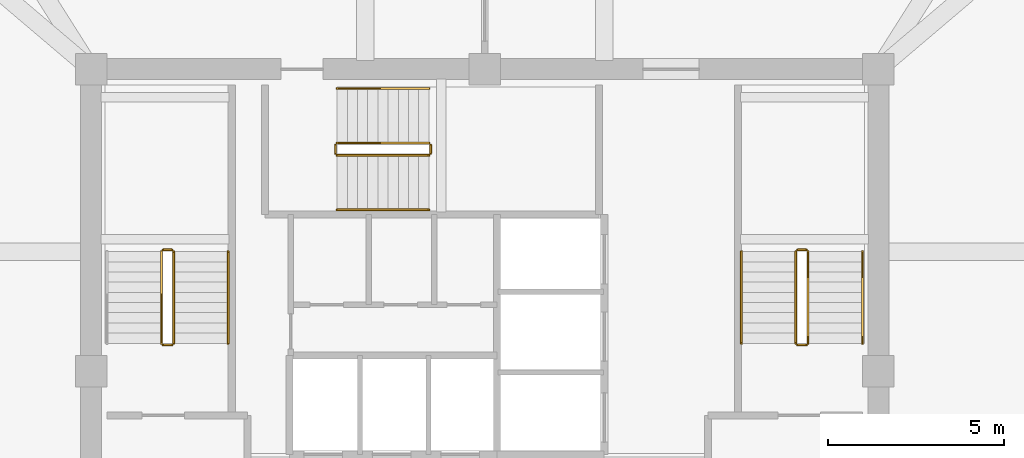
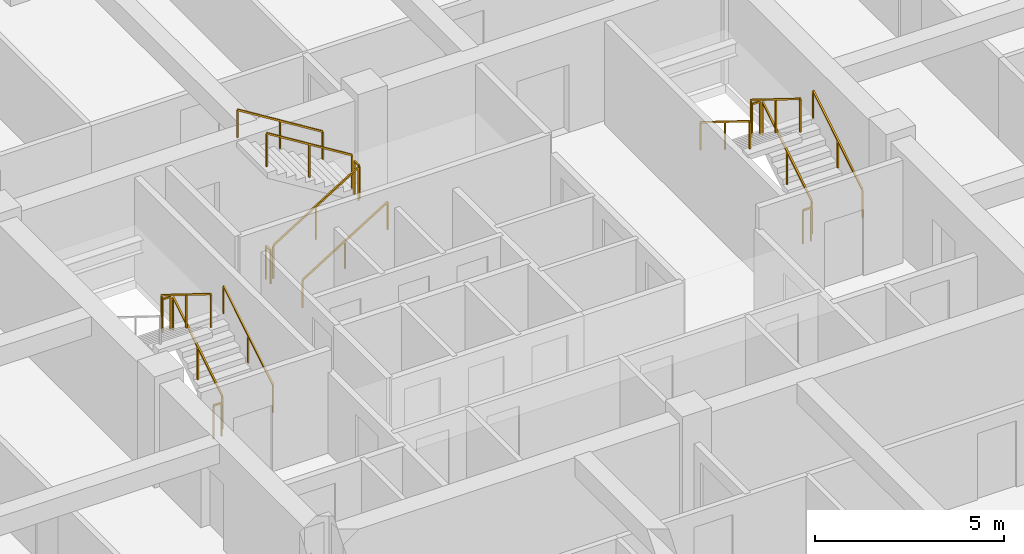
# One storey, part 13 of 13: 17 railings.
"""IFC4 building model written with IfcOpenShell, lengths in metres."""

from ifc_helpers import new_model, si_unit, derived_unit, direction, frame, origin, origin_2d, place, context, subcontext, project, spatial, rectangle, extrude, material, type_object, element, save


model = new_model("IFC4")

# Units and contexts
model_context = context("Model", 3, precision=1e-05, world=origin(), true_north=direction((0.0, 1.0)))
body_context = subcontext(model_context, "Body", "Model", "MODEL_VIEW")
ifc_project = project(units=[si_unit("LENGTHUNIT", "METRE"), si_unit("AREAUNIT", "SQUARE_METRE"), si_unit("VOLUMEUNIT", "CUBIC_METRE"), si_unit("PLANEANGLEUNIT", "RADIAN"), si_unit("MASSUNIT", "GRAM", prefix="KILO"), derived_unit("THERMALTRANSMITTANCEUNIT", [(si_unit("POWERUNIT", "WATT"), 1), (si_unit("LENGTHUNIT", "METRE"), -2), (si_unit("THERMODYNAMICTEMPERATUREUNIT", "KELVIN"), -1)])], contexts=[model_context])

# Site, building, storey
site_placement = place(None, origin())
site = spatial("IfcSite", under=ifc_project, at=site_placement, CompositionType="ELEMENT")
building_placement = place(site_placement, origin())
building = spatial("IfcBuilding", under=site, at=building_placement, Name="Koralith Skygarden Medical Center", CompositionType="ELEMENT")
storey_placement = place(building_placement, frame((0.0, 0.0, 214.3798828125)))
storey = spatial("IfcBuildingStorey", under=building, at=storey_placement, Name="L55", CompositionType="ELEMENT", Elevation=214.3798828125)

# Railings
ifc_material = material(Name="Steel ASTM A500 Grade C", Category="steel")
railing_type_1 = type_object("IfcRailingType", Name="Stair Flight Tubular Handrail 920", PredefinedType="HANDRAIL", material=ifc_material)
for number, where, name in (
    (1, (29.699951171875, 26.699951171875, 0.18017578125), "L55 ST1 stair handrail 1"),
    (2, (47.75, 26.699951171875, 0.18017578125), "L55 ST2 stair handrail 1"),
):
    element("IfcRailing", number, at=place(storey_placement, frame(where)), inside=storey, type_object=railing_type_1, Name=name, PredefinedType="HANDRAIL", context=body_context, shape_type="SweptSolid", body=[
        extrude(rectangle(XDim=0.050048828125, YDim=0.050048828125, at=origin_2d()), frame((0.0, 0.001708984375, 0.89599609375), z_axis=(0.0, 0.849668407637, 0.527317358963), x_axis=(-1.0, 0.0, 0.0)), (0.0, 0.0, 1.0), 3.06787109375),
        extrude(rectangle(XDim=0.0419921875, YDim=0.0419921875, at=origin_2d()), origin(), (0.0, 0.0, 1.0), 0.867919921875),
        extrude(rectangle(XDim=0.0419921875, YDim=0.0419921875, at=origin_2d()), frame((0.0, 1.30517578125, 0.81005859375)), (0.0, 0.0, 1.0), 0.867919921875),
        extrude(rectangle(XDim=0.0419921875, YDim=0.0419921875, at=origin_2d()), frame((0.0, 2.610107421875, 1.619873046875)), (0.0, 0.0, 1.0), 0.867919921875),
    ])
railing_1_placement = place(storey_placement, frame((44.300048828125, 29.31005859375, 1.980224609375)))
element("IfcRailing", 3, at=railing_1_placement, inside=storey, type_object=railing_type_1, Name="L55 ST2 stair handrail 2", PredefinedType="HANDRAIL", context=body_context, shape_type="SweptSolid", body=[
    extrude(rectangle(XDim=0.050048828125, YDim=0.050048828125, at=origin_2d()), frame((0.0, -0.001708984375, 0.89599609375), z_axis=(0.0, -0.849668407637, 0.527317358963), x_axis=(1.0, 0.0, 0.0)), (0.0, 0.0, 1.0), 3.06787109375),
    extrude(rectangle(XDim=0.0419921875, YDim=0.0419921875, at=origin_2d()), origin(), (0.0, 0.0, 1.0), 0.867919921875),
    extrude(rectangle(XDim=0.0419921875, YDim=0.0419921875, at=origin_2d()), frame((0.0, -1.30517578125, 0.81005859375)), (0.0, 0.0, 1.0), 0.867919921875),
    extrude(rectangle(XDim=0.0419921875, YDim=0.0419921875, at=origin_2d()), frame((0.0, -2.610107421875, 1.619873046875)), (0.0, 0.0, 1.0), 0.867919921875),
])
railing_2_placement = place(storey_placement, frame((32.800048828125, 30.5, 0.18017578125)))
element("IfcRailing", 4, at=railing_2_placement, inside=storey, type_object=railing_type_1, Name="L55 ST3 stair handrail 1", PredefinedType="HANDRAIL", context=body_context, shape_type="SweptSolid", body=[
    extrude(rectangle(XDim=0.050048828125, YDim=0.050048828125, at=origin_2d()), frame((0.001708984375, 0.0, 0.89599609375), z_axis=(0.849646306263, 0.0, 0.527352969322), x_axis=(0.0, 1.0, 0.0)), (0.0, 0.0, 1.0), 3.067626953125),
    extrude(rectangle(XDim=0.0419921875, YDim=0.0419921875, at=origin_2d()), origin(), (0.0, 0.0, 1.0), 0.867919921875),
    extrude(rectangle(XDim=0.0419921875, YDim=0.0419921875, at=origin_2d()), frame((1.304931640625, 0.0, 0.81005859375)), (0.0, 0.0, 1.0), 0.867919921875),
    extrude(rectangle(XDim=0.0419921875, YDim=0.0419921875, at=origin_2d()), frame((2.60986328125, 0.0, 1.619873046875)), (0.0, 0.0, 1.0), 0.867919921875),
])
railing_3_placement = place(storey_placement, frame((35.409912109375, 33.949951171875, 1.980224609375)))
element("IfcRailing", 5, at=railing_3_placement, inside=storey, type_object=railing_type_1, Name="L55 ST3 stair handrail 2", PredefinedType="HANDRAIL", context=body_context, shape_type="SweptSolid", body=[
    extrude(rectangle(XDim=0.050048828125, YDim=0.050048828125, at=origin_2d()), frame((-0.001708984375, 0.0, 0.89599609375), z_axis=(-0.849646306263, 0.0, 0.527352969322), x_axis=(0.0, -1.0, 0.0)), (0.0, 0.0, 1.0), 3.067626953125),
    extrude(rectangle(XDim=0.0419921875, YDim=0.0419921875, at=origin_2d()), origin(), (0.0, 0.0, 1.0), 0.867919921875),
    extrude(rectangle(XDim=0.0419921875, YDim=0.0419921875, at=origin_2d()), frame((-1.304931640625, 0.0, 0.81005859375)), (0.0, 0.0, 1.0), 0.867919921875),
    extrude(rectangle(XDim=0.0419921875, YDim=0.0419921875, at=origin_2d()), frame((-2.60986328125, 0.0, 1.619873046875)), (0.0, 0.0, 1.0), 0.867919921875),
])
railing_type_2 = type_object("IfcRailingType", Name="Stair Well Safety Guardrail 1100", PredefinedType="GUARDRAIL", material=ifc_material)
railing_4_placement = place(storey_placement, frame((28.14990234375, 26.699951171875, 0.18017578125)))
element("IfcRailing", 6, at=railing_4_placement, inside=storey, type_object=railing_type_2, Name="L55 ST1 stair guard 1", PredefinedType="GUARDRAIL", context=body_context, shape_type="SweptSolid", body=[
    extrude(rectangle(XDim=0.050048828125, YDim=0.050048828125, at=origin_2d()), frame((0.0, 0.001708984375, 1.076171875), z_axis=(0.0, 0.849668407637, 0.527317358963), x_axis=(-1.0, 0.0, 0.0)), (0.0, 0.0, 1.0), 3.06787109375),
    extrude(rectangle(XDim=0.0419921875, YDim=0.0419921875, at=origin_2d()), origin(), (0.0, 0.0, 1.0), 1.048095703125),
    extrude(rectangle(XDim=0.0419921875, YDim=0.0419921875, at=origin_2d()), frame((0.0, 1.30517578125, 0.81005859375)), (0.0, 0.0, 1.0), 1.048095703125),
    extrude(rectangle(XDim=0.0419921875, YDim=0.0419921875, at=origin_2d()), frame((0.0, 2.610107421875, 1.619873046875)), (0.0, 0.0, 1.0), 1.048095703125),
])
railing_5_placement = place(storey_placement, frame((28.10009765625, 29.360107421875, 1.800048828125)))
element("IfcRailing", 7, at=railing_5_placement, inside=storey, type_object=railing_type_2, Name="L55 ST1 stair guard 2", PredefinedType="GUARDRAIL", context=body_context, shape_type="SweptSolid", body=[
    extrude(rectangle(XDim=0.050048828125, YDim=0.050048828125, at=origin_2d()), frame((-0.001953125, 0.0, 1.0751953125), z_axis=(-1.0, 0.0, 0.0), x_axis=(0.0, -1.0, 0.0)), (0.0, 0.0, 1.0), 0.24609375),
    extrude(rectangle(XDim=0.0419921875, YDim=0.0419921875, at=origin_2d()), origin(), (0.0, 0.0, 1.0), 1.048095703125),
    extrude(rectangle(XDim=0.0419921875, YDim=0.0419921875, at=origin_2d()), frame((-0.25, 0.0, 0.0)), (0.0, 0.0, 1.0), 1.048095703125),
])
railing_6_placement = place(storey_placement, frame((27.800048828125, 29.31005859375, 1.980224609375)))
element("IfcRailing", 8, at=railing_6_placement, inside=storey, type_object=railing_type_2, Name="L55 ST1 stair guard 3", PredefinedType="GUARDRAIL", context=body_context, shape_type="SweptSolid", body=[
    extrude(rectangle(XDim=0.050048828125, YDim=0.050048828125, at=origin_2d()), frame((0.0, -0.001708984375, 1.076171875), z_axis=(0.0, -0.849668407637, 0.527317358963), x_axis=(1.0, 0.0, 0.0)), (0.0, 0.0, 1.0), 3.06787109375),
    extrude(rectangle(XDim=0.0419921875, YDim=0.0419921875, at=origin_2d()), origin(), (0.0, 0.0, 1.0), 1.048095703125),
    extrude(rectangle(XDim=0.0419921875, YDim=0.0419921875, at=origin_2d()), frame((0.0, -1.30517578125, 0.81005859375)), (0.0, 0.0, 1.0), 1.048095703125),
    extrude(rectangle(XDim=0.0419921875, YDim=0.0419921875, at=origin_2d()), frame((0.0, -2.610107421875, 1.619873046875)), (0.0, 0.0, 1.0), 1.048095703125),
])
railing_7_placement = place(storey_placement, frame((28.10009765625, 26.64990234375, 0.0)))
element("IfcRailing", 9, at=railing_7_placement, inside=storey, type_object=railing_type_2, Name="L55 ST1 stair guard 4", PredefinedType="GUARDRAIL", context=body_context, shape_type="SweptSolid", body=[
    extrude(rectangle(XDim=0.050048828125, YDim=0.050048828125, at=origin_2d()), frame((-0.001953125, 0.0, 1.0751953125), z_axis=(-1.0, 0.0, 0.0), x_axis=(0.0, -1.0, 0.0)), (0.0, 0.0, 1.0), 0.24609375),
    extrude(rectangle(XDim=0.0419921875, YDim=0.0419921875, at=origin_2d()), origin(), (0.0, 0.0, 1.0), 1.048095703125),
    extrude(rectangle(XDim=0.0419921875, YDim=0.0419921875, at=origin_2d()), frame((-0.25, 0.0, 0.0)), (0.0, 0.0, 1.0), 1.048095703125),
])
railing_8_placement = place(storey_placement, frame((46.199951171875, 26.699951171875, 0.18017578125)))
element("IfcRailing", 10, at=railing_8_placement, inside=storey, type_object=railing_type_2, Name="L55 ST2 stair guard 1", PredefinedType="GUARDRAIL", context=body_context, shape_type="SweptSolid", body=[
    extrude(rectangle(XDim=0.050048828125, YDim=0.050048828125, at=origin_2d()), frame((0.0, 0.001708984375, 1.076171875), z_axis=(0.0, 0.849668407637, 0.527317358963), x_axis=(-1.0, 0.0, 0.0)), (0.0, 0.0, 1.0), 3.06787109375),
    extrude(rectangle(XDim=0.0419921875, YDim=0.0419921875, at=origin_2d()), origin(), (0.0, 0.0, 1.0), 1.048095703125),
    extrude(rectangle(XDim=0.0419921875, YDim=0.0419921875, at=origin_2d()), frame((0.0, 1.30517578125, 0.81005859375)), (0.0, 0.0, 1.0), 1.048095703125),
    extrude(rectangle(XDim=0.0419921875, YDim=0.0419921875, at=origin_2d()), frame((0.0, 2.610107421875, 1.619873046875)), (0.0, 0.0, 1.0), 1.048095703125),
])
railing_9_placement = place(storey_placement, frame((46.14990234375, 29.360107421875, 1.800048828125)))
element("IfcRailing", 11, at=railing_9_placement, inside=storey, type_object=railing_type_2, Name="L55 ST2 stair guard 2", PredefinedType="GUARDRAIL", context=body_context, shape_type="SweptSolid", body=[
    extrude(rectangle(XDim=0.050048828125, YDim=0.050048828125, at=origin_2d()), frame((-0.001953125, 0.0, 1.0751953125), z_axis=(-1.0, 0.0, 0.0), x_axis=(0.0, -1.0, 0.0)), (0.0, 0.0, 1.0), 0.24609375),
    extrude(rectangle(XDim=0.0419921875, YDim=0.0419921875, at=origin_2d()), origin(), (0.0, 0.0, 1.0), 1.048095703125),
    extrude(rectangle(XDim=0.0419921875, YDim=0.0419921875, at=origin_2d()), frame((-0.25, 0.0, 0.0)), (0.0, 0.0, 1.0), 1.048095703125),
])
railing_10_placement = place(storey_placement, frame((45.85009765625, 29.31005859375, 1.980224609375)))
element("IfcRailing", 12, at=railing_10_placement, inside=storey, type_object=railing_type_2, Name="L55 ST2 stair guard 3", PredefinedType="GUARDRAIL", context=body_context, shape_type="SweptSolid", body=[
    extrude(rectangle(XDim=0.050048828125, YDim=0.050048828125, at=origin_2d()), frame((0.0, -0.001708984375, 1.076171875), z_axis=(0.0, -0.849668407637, 0.527317358963), x_axis=(1.0, 0.0, 0.0)), (0.0, 0.0, 1.0), 3.06787109375),
    extrude(rectangle(XDim=0.0419921875, YDim=0.0419921875, at=origin_2d()), origin(), (0.0, 0.0, 1.0), 1.048095703125),
    extrude(rectangle(XDim=0.0419921875, YDim=0.0419921875, at=origin_2d()), frame((0.0, -1.30517578125, 0.81005859375)), (0.0, 0.0, 1.0), 1.048095703125),
    extrude(rectangle(XDim=0.0419921875, YDim=0.0419921875, at=origin_2d()), frame((0.0, -2.610107421875, 1.619873046875)), (0.0, 0.0, 1.0), 1.048095703125),
])
railing_11_placement = place(storey_placement, frame((46.14990234375, 26.64990234375, 0.0)))
element("IfcRailing", 13, at=railing_11_placement, inside=storey, type_object=railing_type_2, Name="L55 ST2 stair guard 4", PredefinedType="GUARDRAIL", context=body_context, shape_type="SweptSolid", body=[
    extrude(rectangle(XDim=0.050048828125, YDim=0.050048828125, at=origin_2d()), frame((-0.001953125, 0.0, 1.0751953125), z_axis=(-1.0, 0.0, 0.0), x_axis=(0.0, -1.0, 0.0)), (0.0, 0.0, 1.0), 0.24609375),
    extrude(rectangle(XDim=0.0419921875, YDim=0.0419921875, at=origin_2d()), origin(), (0.0, 0.0, 1.0), 1.048095703125),
    extrude(rectangle(XDim=0.0419921875, YDim=0.0419921875, at=origin_2d()), frame((-0.25, 0.0, 0.0)), (0.0, 0.0, 1.0), 1.048095703125),
])
railing_12_placement = place(storey_placement, frame((32.800048828125, 32.050048828125, 0.18017578125)))
element("IfcRailing", 14, at=railing_12_placement, inside=storey, type_object=railing_type_2, Name="L55 ST3 stair guard 1", PredefinedType="GUARDRAIL", context=body_context, shape_type="SweptSolid", body=[
    extrude(rectangle(XDim=0.050048828125, YDim=0.050048828125, at=origin_2d()), frame((0.001708984375, 0.0, 1.076171875), z_axis=(0.849646306263, 0.0, 0.527352969322), x_axis=(0.0, 1.0, 0.0)), (0.0, 0.0, 1.0), 3.067626953125),
    extrude(rectangle(XDim=0.0419921875, YDim=0.0419921875, at=origin_2d()), origin(), (0.0, 0.0, 1.0), 1.048095703125),
    extrude(rectangle(XDim=0.0419921875, YDim=0.0419921875, at=origin_2d()), frame((1.304931640625, 0.0, 0.81005859375)), (0.0, 0.0, 1.0), 1.048095703125),
    extrude(rectangle(XDim=0.0419921875, YDim=0.0419921875, at=origin_2d()), frame((2.60986328125, 0.0, 1.619873046875)), (0.0, 0.0, 1.0), 1.048095703125),
])
railing_13_placement = place(storey_placement, frame((35.4599609375, 32.10009765625, 1.800048828125)))
element("IfcRailing", 15, at=railing_13_placement, inside=storey, type_object=railing_type_2, Name="L55 ST3 stair guard 2", PredefinedType="GUARDRAIL", context=body_context, shape_type="SweptSolid", body=[
    extrude(rectangle(XDim=0.050048828125, YDim=0.050048828125, at=origin_2d()), frame((0.0, 0.001953125, 1.0751953125), z_axis=(0.0, 1.0, 0.0), x_axis=(-1.0, 0.0, 0.0)), (0.0, 0.0, 1.0), 0.24609375),
    extrude(rectangle(XDim=0.0419921875, YDim=0.0419921875, at=origin_2d()), origin(), (0.0, 0.0, 1.0), 1.048095703125),
    extrude(rectangle(XDim=0.0419921875, YDim=0.0419921875, at=origin_2d()), frame((0.0, 0.25, 0.0)), (0.0, 0.0, 1.0), 1.048095703125),
])
railing_14_placement = place(storey_placement, frame((35.409912109375, 32.39990234375, 1.980224609375)))
element("IfcRailing", 16, at=railing_14_placement, inside=storey, type_object=railing_type_2, Name="L55 ST3 stair guard 3", PredefinedType="GUARDRAIL", context=body_context, shape_type="SweptSolid", body=[
    extrude(rectangle(XDim=0.050048828125, YDim=0.050048828125, at=origin_2d()), frame((-0.001708984375, 0.0, 1.076171875), z_axis=(-0.849646306263, 0.0, 0.527352969322), x_axis=(0.0, -1.0, 0.0)), (0.0, 0.0, 1.0), 3.067626953125),
    extrude(rectangle(XDim=0.0419921875, YDim=0.0419921875, at=origin_2d()), origin(), (0.0, 0.0, 1.0), 1.048095703125),
    extrude(rectangle(XDim=0.0419921875, YDim=0.0419921875, at=origin_2d()), frame((-1.304931640625, 0.0, 0.81005859375)), (0.0, 0.0, 1.0), 1.048095703125),
    extrude(rectangle(XDim=0.0419921875, YDim=0.0419921875, at=origin_2d()), frame((-2.60986328125, 0.0, 1.619873046875)), (0.0, 0.0, 1.0), 1.048095703125),
])
railing_15_placement = place(storey_placement, frame((32.75, 32.10009765625, 0.0)))
element("IfcRailing", 17, at=railing_15_placement, inside=storey, type_object=railing_type_2, Name="L55 ST3 stair guard 4", PredefinedType="GUARDRAIL", context=body_context, shape_type="SweptSolid", body=[
    extrude(rectangle(XDim=0.050048828125, YDim=0.050048828125, at=origin_2d()), frame((0.0, 0.001953125, 1.0751953125), z_axis=(0.0, 1.0, 0.0), x_axis=(-1.0, 0.0, 0.0)), (0.0, 0.0, 1.0), 0.24609375),
    extrude(rectangle(XDim=0.0419921875, YDim=0.0419921875, at=origin_2d()), origin(), (0.0, 0.0, 1.0), 1.048095703125),
    extrude(rectangle(XDim=0.0419921875, YDim=0.0419921875, at=origin_2d()), frame((0.0, 0.25, 0.0)), (0.0, 0.0, 1.0), 1.048095703125),
])

save(model, "model.ifc")
